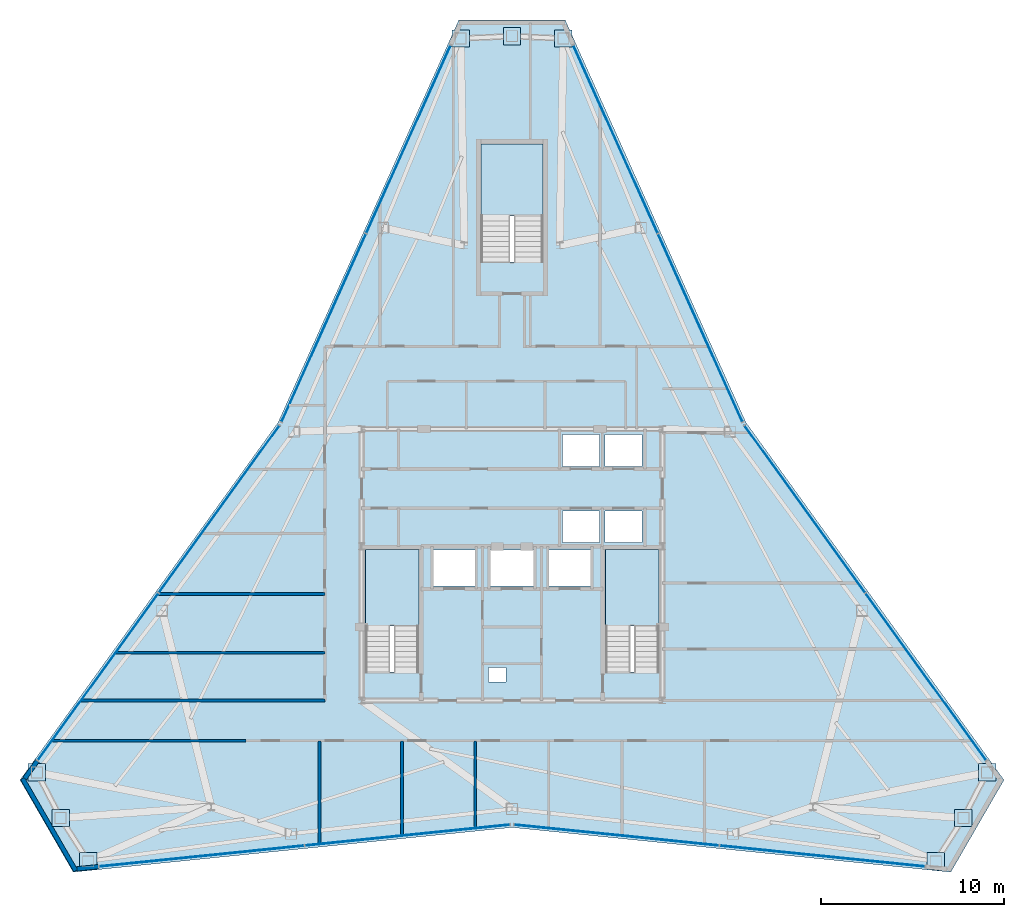
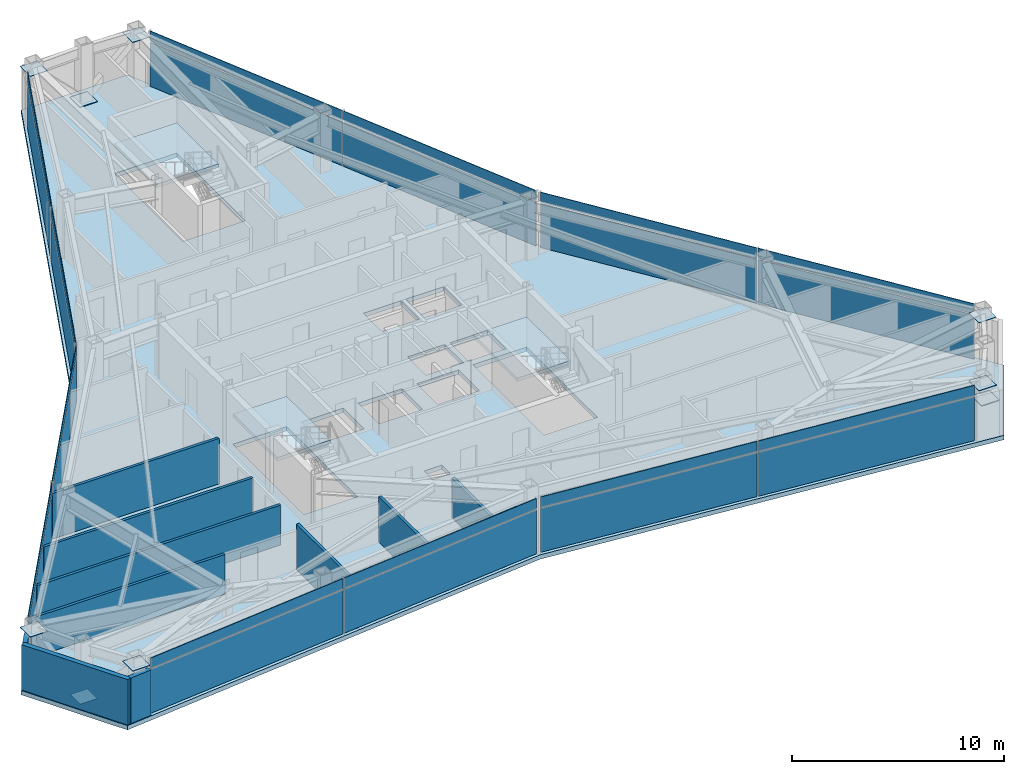
# One storey, part 8 of 12: 33 plates, 10 walls, 4 slabs, 9 elements without a shape of their own.
"""IFC4 building model written with IfcOpenShell, lengths in metres."""

from ifc_helpers import new_model, si_unit, direction, frame, frame_2d, origin, origin_2d, place, context, subcontext, project, spatial, polyline, rectangle, outline, extrude, source, transform, mapped, material, layer, layer_set, type_object, type_shapes, element, aggregate, save


model = new_model("IFC4")

# Units and contexts
model_context = context("Model", 3, precision=1e-05, world=origin(), true_north=direction((0.0, 1.0)))
body_context = subcontext(model_context, "Body", "Model", "MODEL_VIEW")
ifc_project = project(units=[si_unit("LENGTHUNIT", "METRE"), si_unit("AREAUNIT", "SQUARE_METRE"), si_unit("VOLUMEUNIT", "CUBIC_METRE"), si_unit("PLANEANGLEUNIT", "RADIAN"), si_unit("MASSUNIT", "GRAM", prefix="KILO")], contexts=[model_context])

# Site, building, storey
site_placement = place(None, origin())
site = spatial("IfcSite", under=ifc_project, at=site_placement, CompositionType="ELEMENT")
building_placement = place(site_placement, origin())
building = spatial("IfcBuilding", under=site, at=building_placement, Name="Varakhsha Concourse Tower", CompositionType="ELEMENT")
storey_placement = place(building_placement, frame((0.0, 0.0, 258.5)))
storey = spatial("IfcBuildingStorey", under=building, at=storey_placement, Name="L73", CompositionType="ELEMENT", Elevation=258.5)

# Slab
ifc_material_1 = material(Name="Concrete fc 45 MPa", Category="concrete")
ifc_layer_1 = layer(ifc_material_1, 0.25, Name="SL-FLR-250")
ifc_layer_set_1 = layer_set([ifc_layer_1], Name="Concrete fc 45 MPa")
slab_type_1 = type_object("IfcSlabType", Name="SL-FLR-250", PredefinedType="FLOOR", material=ifc_layer_set_1)
slab_1_placement = place(storey_placement, frame((0.0, 0.0, -0.25)))
element("IfcSlab", 1, at=slab_1_placement, inside=storey, type_object=slab_type_1, Name="L73 Composite Structural Slab", PredefinedType="FLOOR", context=body_context, shape_type="SweptSolid", body=[
    extrude(outline(polyline([(42.89990234375, 53.4970703125), (37.10009765625, 53.4970703125), (27.249267578125, 31.5615234375), (13.177978515625, 12.06298828125), (16.077880859375, 7.0400390625), (40.0, 9.476806640625), (63.922119140625, 7.0400390625), (66.822021484375, 12.06298828125), (52.750732421875, 31.5615234375), (42.89990234375, 53.4970703125)]), holes=[polyline([(34.919921875, 17.93994140625), (34.919921875, 24.6298828125), (32.0, 24.6298828125), (32.0, 17.93994140625), (34.919921875, 17.93994140625)]), polyline([(48.02001953125, 17.93994140625), (48.02001953125, 24.6298828125), (45.10009765625, 24.6298828125), (45.10009765625, 17.93994140625), (48.02001953125, 17.93994140625)]), polyline([(41.699951171875, 40.300048828125), (41.699951171875, 46.75), (38.300048828125, 46.75), (38.300048828125, 40.300048828125), (41.699951171875, 40.300048828125)]), polyline([(42.739990234375, 29.159912109375), (44.780029296875, 29.159912109375), (44.780029296875, 30.89990234375), (42.739990234375, 30.89990234375), (42.739990234375, 29.159912109375)]), polyline([(45.06005859375, 29.159912109375), (47.10009765625, 29.159912109375), (47.10009765625, 30.89990234375), (45.06005859375, 30.89990234375), (45.06005859375, 29.159912109375)]), polyline([(42.739990234375, 25.0), (44.780029296875, 25.0), (44.780029296875, 26.739990234375), (42.739990234375, 26.739990234375), (42.739990234375, 25.0)]), polyline([(45.06005859375, 25.0), (47.10009765625, 25.0), (47.10009765625, 26.739990234375), (45.06005859375, 26.739990234375), (45.06005859375, 25.0)]), polyline([(35.7099609375, 22.639892578125), (37.989990234375, 22.639892578125), (37.989990234375, 24.60009765625), (35.7099609375, 24.60009765625), (35.7099609375, 22.639892578125)]), polyline([(42.010009765625, 22.639892578125), (44.2900390625, 22.639892578125), (44.2900390625, 24.60009765625), (42.010009765625, 24.60009765625), (42.010009765625, 22.639892578125)]), polyline([(38.81005859375, 22.639892578125), (41.18994140625, 22.639892578125), (41.18994140625, 24.60009765625), (38.81005859375, 24.60009765625), (38.81005859375, 22.639892578125)]), polyline([(38.719970703125, 17.39990234375), (39.679931640625, 17.39990234375), (39.679931640625, 18.199951171875), (38.719970703125, 18.199951171875), (38.719970703125, 17.39990234375)])]), origin(), (0.0, 0.0, 1.0), 0.25),
])

# Stair, slab
stair_type_1 = type_object("IfcStairType", Name="ST-DOGLEG-1360", PredefinedType="HALF_TURN_STAIR", material=ifc_material_1)
stair_1_placement = place(storey_placement, origin())
stair_1 = element("IfcStair", 2, at=stair_1_placement, inside=storey, type_object=stair_type_1, Name="L73 Protected Exit Stair ST1", PredefinedType="HALF_TURN_STAIR")
ifc_layer_2 = layer(ifc_material_1, 0.199951171875, Name="SL-LAND-200")
ifc_layer_set_2 = layer_set([ifc_layer_2], Name="Concrete fc 45 MPa")
slab_type_2 = type_object("IfcSlabType", Name="SL-LAND-200", PredefinedType="LANDING", material=ifc_layer_set_2)
slab_2_placement = place(storey_placement, frame((0.0, 0.0, 1.550048828125)))
slab_2 = element("IfcSlab", 3, at=slab_2_placement, type_object=slab_type_2, Name="ST1 landing 1", PredefinedType="LANDING", context=body_context, shape_type="SweptSolid", body=[
    extrude(outline(polyline([(34.919921875, 20.4599609375), (34.919921875, 24.6298828125), (32.0, 24.6298828125), (32.0, 20.4599609375), (34.919921875, 20.4599609375)])), origin(), (0.0, 0.0, 1.0), 0.199951171875),
])
aggregate(stair_1, [slab_2])

stair_2_placement = place(storey_placement, origin())
stair_2 = element("IfcStair", 4, at=stair_2_placement, inside=storey, type_object=stair_type_1, Name="L73 Protected Exit Stair ST2", PredefinedType="HALF_TURN_STAIR")
slab_3_placement = place(storey_placement, frame((0.0, 0.0, 1.550048828125)))
slab_3 = element("IfcSlab", 5, at=slab_3_placement, type_object=slab_type_2, Name="ST2 landing 1", PredefinedType="LANDING", context=body_context, shape_type="SweptSolid", body=[
    extrude(outline(polyline([(48.02001953125, 20.4599609375), (48.02001953125, 24.6298828125), (45.10009765625, 24.6298828125), (45.10009765625, 20.4599609375), (48.02001953125, 20.4599609375)])), origin(), (0.0, 0.0, 1.0), 0.199951171875),
])
aggregate(stair_2, [slab_3])

stair_type_2 = type_object("IfcStairType", Name="ST-DOGLEG-1600", PredefinedType="HALF_TURN_STAIR", material=ifc_material_1)
stair_3_placement = place(storey_placement, origin())
stair_3 = element("IfcStair", 6, at=stair_3_placement, inside=storey, type_object=stair_type_2, Name="L73 Protected Exit Stair ST5", PredefinedType="HALF_TURN_STAIR")
slab_4_placement = place(storey_placement, frame((0.0, 0.0, 1.550048828125)))
slab_4 = element("IfcSlab", 7, at=slab_4_placement, type_object=slab_type_2, Name="ST5 landing 1", PredefinedType="LANDING", context=body_context, shape_type="SweptSolid", body=[
    extrude(outline(polyline([(41.699951171875, 42.820068359375), (41.699951171875, 46.75), (38.300048828125, 46.75), (38.300048828125, 42.820068359375), (41.699951171875, 42.820068359375)])), origin(), (0.0, 0.0, 1.0), 0.199951171875),
])
aggregate(stair_3, [slab_4])

# Plates
ifc_material_2 = material(Name="Structural Steel ASTM A572 Grade 50", Category="steel")
ifc_layer_3 = layer(ifc_material_2, 0.030029296875, Name="PL-ENDCAP-950")
ifc_layer_set_3 = layer_set([ifc_layer_3], Name="Structural Steel ASTM A572 Grade 50")
plate_type_1 = type_object("IfcPlateType", Name="PL-ENDCAP-950", PredefinedType="USERDEFINED", material=ifc_layer_set_3)
shared_shape_1 = source(origin(), body_context, "Body", "SweptSolid", [
    extrude(rectangle(XDim=0.949951171875, YDim=0.949951171875, at=origin_2d()), origin(), (0.0, 0.0, 1.0), 0.030029296875),
])
type_shapes(plate_type_1, [shared_shape_1])
for number, where, z_axis, x_axis, name in (
    (8, (40.0, 52.6171875, 0.10498046875), (0.0, 0.0, 1.0), (1.0, 0.0, 0.0), "Hollow Section End Cap GP-NODE-L73-0778"),
    (9, (42.80029296875, 52.489990234375, 2.93505859375), (0.0, 0.0, 1.0), (1.0, 0.0, 0.0), "Hollow Section End Cap GP-NODE-L73-0779"),
    (10, (37.19970703125, 52.489990234375, 2.93505859375), (0.0, 0.0, 1.0), (1.0, 0.0, 0.0), "Hollow Section End Cap GP-NODE-L73-0780"),
    (11, (15.39013671875, 9.991455078125, 0.10498046875), (0.0, 0.0, 1.0), (1.0, 0.0, 0.0), "Hollow Section End Cap GP-NODE-L73-0781"),
    (12, (14.10009765625, 12.47998046875, 2.93505859375), (0.0, 0.0, 1.0), (1.0, 0.0, 0.0), "Hollow Section End Cap GP-NODE-L73-0782"),
    (13, (16.900390625, 7.6298828125, 2.93505859375), (0.0, 0.0, 1.0), (1.0, 0.0, 0.0), "Hollow Section End Cap GP-NODE-L73-0783"),
    (14, (64.60986328125, 9.991455078125, 0.10498046875), (0.0, 0.0, 1.0), (1.0, 0.0, 0.0), "Hollow Section End Cap GP-NODE-L73-0784"),
    (15, (63.099609375, 7.6298828125, 2.93505859375), (0.0, 0.0, 1.0), (1.0, 0.0, 0.0), "Hollow Section End Cap GP-NODE-L73-0785"),
    (16, (65.89990234375, 12.47998046875, 2.93505859375), (0.0, 0.0, 1.0), (1.0, 0.0, 0.0), "Hollow Section End Cap GP-NODE-L73-0786"),
):
    element("IfcPlate", number, at=place(storey_placement, frame(where, z_axis=z_axis, x_axis=x_axis)), inside=storey, type_object=plate_type_1, Name=name, ObjectType="END PLATE", PredefinedType="USERDEFINED", context=body_context, shape_type="MappedRepresentation", body=[
        mapped(shared_shape_1, transform((0.0, 0.0, 0.0), scale=1.0)),
    ])

# Curtain wall, plate
ifc_material_3 = material(Name="Anodised Bronze Architectural Aluminium AA 6063-T6", Category="aluminium")
ifc_layer_4 = layer(ifc_material_3, 0.199951171875, Name="CW-SYS-05")
ifc_layer_set_4 = layer_set([ifc_layer_4], Name="Anodised Bronze Architectural Aluminium AA 6063-T6")
curtain_wall_type = type_object("IfcCurtainWallType", Name="CW-SYS-05", PredefinedType="NOTDEFINED", material=ifc_layer_set_4)
curtain_wall_1_placement = place(storey_placement, origin())
curtain_wall_1 = element("IfcCurtainWall", 17, at=curtain_wall_1_placement, inside=storey, type_object=curtain_wall_type, Name="L73 Crystal Curtain Wall F2", PredefinedType="NOTDEFINED")
ifc_material_4 = material(Name="Low-E Triple Insulating Glass IGU 44 mm", Category="glass")
ifc_layer_5 = layer(ifc_material_4, 0.0439453125, Name="CWP-IGU-44")
ifc_layer_set_5 = layer_set([ifc_layer_5], Name="Low-E Triple Insulating Glass IGU 44 mm")
plate_type_2 = type_object("IfcPlateType", Name="CWP-IGU-44", PredefinedType="CURTAIN_PANEL", material=ifc_layer_set_5)
shared_shape_2 = source(origin(), body_context, "Body", "SweptSolid", [
    extrude(rectangle(XDim=11.203857421875, YDim=0.0439453125, at=origin_2d()), origin(), (0.0, 0.0, 1.0), 2.535888671875),
])
plate_1_placement = place(storey_placement, frame((29.737060546875, 36.710693359375, 0.0322265625), z_axis=(0.0, 0.0, 1.0), x_axis=(0.409661937266, 0.912237412714, 0.0)))
plate_1 = element("IfcPlate", 18, at=plate_1_placement, type_object=plate_type_2, Name="CW-L73-F2 Panel 00-00", PredefinedType="CURTAIN_PANEL", context=body_context, shape_type="MappedRepresentation", body=[
    mapped(shared_shape_2, transform((0.0, 0.0, 0.0), scale=1.0)),
])

# Curtain wall, plates
curtain_wall_2_placement = place(storey_placement, origin())
curtain_wall_2 = element("IfcCurtainWall", 19, at=curtain_wall_2_placement, inside=storey, type_object=curtain_wall_type, Name="L73 Crystal Curtain Wall F3", PredefinedType="NOTDEFINED")
plate_2_placement = place(storey_placement, frame((17.43701171875, 17.69140625, 0.0322265625), z_axis=(0.0, 0.0, 1.0), x_axis=(0.585188389778, 0.81089737234, 0.0)))
plate_2 = element("IfcPlate", 20, at=plate_2_placement, type_object=plate_type_2, Name="CW-L73-F3 Panel 00-00", PredefinedType="CURTAIN_PANEL", context=body_context, shape_type="MappedRepresentation", body=[
    mapped(shared_shape_2, transform((0.0, 0.0, 0.0), scale=1.0)),
])
plate_3_placement = place(storey_placement, frame((24.03369140625, 26.83251953125, 0.0322265625), z_axis=(0.0, 0.0, 1.0), x_axis=(0.585188389778, 0.81089737234, 0.0)))
plate_3 = element("IfcPlate", 21, at=plate_3_placement, type_object=plate_type_2, Name="CW-L73-F3 Panel 01-00", PredefinedType="CURTAIN_PANEL", context=body_context, shape_type="MappedRepresentation", body=[
    mapped(shared_shape_2, transform((0.0, 0.0, 0.0), scale=1.0)),
])

curtain_wall_3_placement = place(storey_placement, origin())
curtain_wall_3 = element("IfcCurtainWall", 22, at=curtain_wall_3_placement, inside=storey, type_object=curtain_wall_type, Name="L73 Crystal Curtain Wall F5", PredefinedType="NOTDEFINED")
plate_4_placement = place(storey_placement, frame((34.296875, 9.056640625, 0.0322265625), z_axis=(0.0, 0.0, 1.0), x_axis=(-0.994852272933, -0.101335852689, 0.0)))
plate_4 = element("IfcPlate", 23, at=plate_4_placement, type_object=plate_type_2, Name="CW-L73-F5 Panel 00-00", PredefinedType="CURTAIN_PANEL", context=body_context, shape_type="MappedRepresentation", body=[
    mapped(shared_shape_2, transform((0.0, 0.0, 0.0), scale=1.0)),
])
plate_5_placement = place(storey_placement, frame((23.081787109375, 7.914306640625, 0.0322265625), z_axis=(0.0, 0.0, 1.0), x_axis=(-0.994852272933, -0.101335852689, 0.0)))
plate_5 = element("IfcPlate", 24, at=plate_5_placement, type_object=plate_type_2, Name="CW-L73-F5 Panel 01-00", PredefinedType="CURTAIN_PANEL", context=body_context, shape_type="MappedRepresentation", body=[
    mapped(shared_shape_2, transform((0.0, 0.0, 0.0), scale=1.0)),
])

curtain_wall_4_placement = place(storey_placement, origin())
curtain_wall_4 = element("IfcCurtainWall", 25, at=curtain_wall_4_placement, inside=storey, type_object=curtain_wall_type, Name="L73 Crystal Curtain Wall F6", PredefinedType="NOTDEFINED")
plate_6_placement = place(storey_placement, frame((56.918212890625, 7.914306640625, 0.0322265625), z_axis=(0.0, 0.0, 1.0), x_axis=(-0.994852272933, 0.101335852689, 0.0)))
plate_6 = element("IfcPlate", 26, at=plate_6_placement, type_object=plate_type_2, Name="CW-L73-F6 Panel 00-00", PredefinedType="CURTAIN_PANEL", context=body_context, shape_type="MappedRepresentation", body=[
    mapped(shared_shape_2, transform((0.0, 0.0, 0.0), scale=1.0)),
])
plate_7_placement = place(storey_placement, frame((45.703125, 9.056640625, 0.0322265625), z_axis=(0.0, 0.0, 1.0), x_axis=(-0.994852272933, 0.101335852689, 0.0)))
plate_7 = element("IfcPlate", 27, at=plate_7_placement, type_object=plate_type_2, Name="CW-L73-F6 Panel 01-00", PredefinedType="CURTAIN_PANEL", context=body_context, shape_type="MappedRepresentation", body=[
    mapped(shared_shape_2, transform((0.0, 0.0, 0.0), scale=1.0)),
])

curtain_wall_5_placement = place(storey_placement, origin())
curtain_wall_5 = element("IfcCurtainWall", 28, at=curtain_wall_5_placement, inside=storey, type_object=curtain_wall_type, Name="L73 Crystal Curtain Wall F8", PredefinedType="NOTDEFINED")
plate_8_placement = place(storey_placement, frame((55.96630859375, 26.83251953125, 0.0322265625), z_axis=(0.0, 0.0, 1.0), x_axis=(0.585188389778, -0.81089737234, 0.0)))
plate_8 = element("IfcPlate", 29, at=plate_8_placement, type_object=plate_type_2, Name="CW-L73-F8 Panel 00-00", PredefinedType="CURTAIN_PANEL", context=body_context, shape_type="MappedRepresentation", body=[
    mapped(shared_shape_2, transform((0.0, 0.0, 0.0), scale=1.0)),
])
plate_9_placement = place(storey_placement, frame((62.56298828125, 17.69140625, 0.0322265625), z_axis=(0.0, 0.0, 1.0), x_axis=(0.585188389778, -0.81089737234, 0.0)))
plate_9 = element("IfcPlate", 30, at=plate_9_placement, type_object=plate_type_2, Name="CW-L73-F8 Panel 01-00", PredefinedType="CURTAIN_PANEL", context=body_context, shape_type="MappedRepresentation", body=[
    mapped(shared_shape_2, transform((0.0, 0.0, 0.0), scale=1.0)),
])

# Curtain wall, plate
curtain_wall_6_placement = place(storey_placement, origin())
curtain_wall_6 = element("IfcCurtainWall", 31, at=curtain_wall_6_placement, inside=storey, type_object=curtain_wall_type, Name="L73 Crystal Curtain Wall F9", PredefinedType="NOTDEFINED")
plate_10_placement = place(storey_placement, frame((45.644775390625, 46.994384765625, 0.0322265625), z_axis=(0.0, 0.0, 1.0), x_axis=(0.409661937266, -0.912237412714, 0.0)))
plate_10 = element("IfcPlate", 32, at=plate_10_placement, type_object=plate_type_2, Name="CW-L73-F9 Panel 00-00", PredefinedType="CURTAIN_PANEL", context=body_context, shape_type="MappedRepresentation", body=[
    mapped(shared_shape_2, transform((0.0, 0.0, 0.0), scale=1.0)),
])

# Plate
ifc_material_5 = material(Name="Insulated Anodised Bronze Aluminium Spandrel 36 mm", Category="aluminium")
ifc_layer_6 = layer(ifc_material_5, 0.035888671875, Name="CWP-SPN-36")
ifc_layer_set_6 = layer_set([ifc_layer_6], Name="Insulated Anodised Bronze Aluminium Spandrel 36 mm")
plate_type_3 = type_object("IfcPlateType", Name="CWP-SPN-36", PredefinedType="USERDEFINED", material=ifc_layer_set_6)
shared_shape_3 = source(origin(), body_context, "Body", "SweptSolid", [
    extrude(rectangle(XDim=11.203857421875, YDim=0.035888671875, at=origin_2d()), origin(), (0.0, 0.0, 1.0), 0.5859375),
])
plate_11_placement = place(storey_placement, frame((29.737060546875, 36.710693359375, 2.632080078125), z_axis=(0.0, 0.0, 1.0), x_axis=(0.409661937266, 0.912237412714, 0.0)))
plate_11 = element("IfcPlate", 33, at=plate_11_placement, type_object=plate_type_3, Name="CW-L73-F2 Panel 00-01", ObjectType="SPANDREL", PredefinedType="USERDEFINED", context=body_context, shape_type="MappedRepresentation", body=[
    mapped(shared_shape_3, transform((0.0, 0.0, 0.0), scale=1.0)),
])

plate_12_placement = place(storey_placement, frame((17.43701171875, 17.69140625, 2.632080078125), z_axis=(0.0, 0.0, 1.0), x_axis=(0.585188389778, 0.81089737234, 0.0)))
plate_12 = element("IfcPlate", 34, at=plate_12_placement, type_object=plate_type_3, Name="CW-L73-F3 Panel 00-01", ObjectType="SPANDREL", PredefinedType="USERDEFINED", context=body_context, shape_type="MappedRepresentation", body=[
    mapped(shared_shape_3, transform((0.0, 0.0, 0.0), scale=1.0)),
])

plate_13_placement = place(storey_placement, frame((24.03369140625, 26.83251953125, 2.632080078125), z_axis=(0.0, 0.0, 1.0), x_axis=(0.585188389778, 0.81089737234, 0.0)))
plate_13 = element("IfcPlate", 35, at=plate_13_placement, type_object=plate_type_3, Name="CW-L73-F3 Panel 01-01", ObjectType="SPANDREL", PredefinedType="USERDEFINED", context=body_context, shape_type="MappedRepresentation", body=[
    mapped(shared_shape_3, transform((0.0, 0.0, 0.0), scale=1.0)),
])

aggregate(curtain_wall_2, [plate_2, plate_12, plate_3, plate_13])

plate_14_placement = place(storey_placement, frame((34.296875, 9.056640625, 2.632080078125), z_axis=(0.0, 0.0, 1.0), x_axis=(-0.994852272933, -0.101335852689, 0.0)))
plate_14 = element("IfcPlate", 36, at=plate_14_placement, type_object=plate_type_3, Name="CW-L73-F5 Panel 00-01", ObjectType="SPANDREL", PredefinedType="USERDEFINED", context=body_context, shape_type="MappedRepresentation", body=[
    mapped(shared_shape_3, transform((0.0, 0.0, 0.0), scale=1.0)),
])

plate_15_placement = place(storey_placement, frame((23.081787109375, 7.914306640625, 2.632080078125), z_axis=(0.0, 0.0, 1.0), x_axis=(-0.994852272933, -0.101335852689, 0.0)))
plate_15 = element("IfcPlate", 37, at=plate_15_placement, type_object=plate_type_3, Name="CW-L73-F5 Panel 01-01", ObjectType="SPANDREL", PredefinedType="USERDEFINED", context=body_context, shape_type="MappedRepresentation", body=[
    mapped(shared_shape_3, transform((0.0, 0.0, 0.0), scale=1.0)),
])

aggregate(curtain_wall_3, [plate_4, plate_14, plate_5, plate_15])

plate_16_placement = place(storey_placement, frame((56.918212890625, 7.914306640625, 2.632080078125), z_axis=(0.0, 0.0, 1.0), x_axis=(-0.994852272933, 0.101335852689, 0.0)))
plate_16 = element("IfcPlate", 38, at=plate_16_placement, type_object=plate_type_3, Name="CW-L73-F6 Panel 00-01", ObjectType="SPANDREL", PredefinedType="USERDEFINED", context=body_context, shape_type="MappedRepresentation", body=[
    mapped(shared_shape_3, transform((0.0, 0.0, 0.0), scale=1.0)),
])

plate_17_placement = place(storey_placement, frame((45.703125, 9.056640625, 2.632080078125), z_axis=(0.0, 0.0, 1.0), x_axis=(-0.994852272933, 0.101335852689, 0.0)))
plate_17 = element("IfcPlate", 39, at=plate_17_placement, type_object=plate_type_3, Name="CW-L73-F6 Panel 01-01", ObjectType="SPANDREL", PredefinedType="USERDEFINED", context=body_context, shape_type="MappedRepresentation", body=[
    mapped(shared_shape_3, transform((0.0, 0.0, 0.0), scale=1.0)),
])

aggregate(curtain_wall_4, [plate_6, plate_16, plate_7, plate_17])

plate_18_placement = place(storey_placement, frame((55.96630859375, 26.83251953125, 2.632080078125), z_axis=(0.0, 0.0, 1.0), x_axis=(0.585188389778, -0.81089737234, 0.0)))
plate_18 = element("IfcPlate", 40, at=plate_18_placement, type_object=plate_type_3, Name="CW-L73-F8 Panel 00-01", ObjectType="SPANDREL", PredefinedType="USERDEFINED", context=body_context, shape_type="MappedRepresentation", body=[
    mapped(shared_shape_3, transform((0.0, 0.0, 0.0), scale=1.0)),
])

plate_19_placement = place(storey_placement, frame((62.56298828125, 17.69140625, 2.632080078125), z_axis=(0.0, 0.0, 1.0), x_axis=(0.585188389778, -0.81089737234, 0.0)))
plate_19 = element("IfcPlate", 41, at=plate_19_placement, type_object=plate_type_3, Name="CW-L73-F8 Panel 01-01", ObjectType="SPANDREL", PredefinedType="USERDEFINED", context=body_context, shape_type="MappedRepresentation", body=[
    mapped(shared_shape_3, transform((0.0, 0.0, 0.0), scale=1.0)),
])

aggregate(curtain_wall_5, [plate_8, plate_18, plate_9, plate_19])

plate_20_placement = place(storey_placement, frame((45.644775390625, 46.994384765625, 2.632080078125), z_axis=(0.0, 0.0, 1.0), x_axis=(0.409661937266, -0.912237412714, 0.0)))
plate_20 = element("IfcPlate", 42, at=plate_20_placement, type_object=plate_type_3, Name="CW-L73-F9 Panel 00-01", ObjectType="SPANDREL", PredefinedType="USERDEFINED", context=body_context, shape_type="MappedRepresentation", body=[
    mapped(shared_shape_3, transform((0.0, 0.0, 0.0), scale=1.0)),
])

shared_shape_4 = source(origin(), body_context, "Body", "SweptSolid", [
    extrude(rectangle(XDim=11.2041015625, YDim=0.0439453125, at=origin_2d()), origin(), (0.0, 0.0, 1.0), 2.535888671875),
])
type_shapes(plate_type_2, [shared_shape_2, shared_shape_4])
plate_21_placement = place(storey_placement, frame((34.35498046875, 46.994384765625, 0.0322265625), z_axis=(0.0, 0.0, 1.0), x_axis=(0.409661937266, 0.912237412714, 0.0)))
plate_21 = element("IfcPlate", 43, at=plate_21_placement, type_object=plate_type_2, Name="CW-L73-F2 Panel 01-00", PredefinedType="CURTAIN_PANEL", context=body_context, shape_type="MappedRepresentation", body=[
    mapped(shared_shape_4, transform((0.0, 0.0, 0.0), scale=1.0)),
])

plate_22_placement = place(storey_placement, frame((50.262939453125, 36.710693359375, 0.0322265625), z_axis=(0.0, 0.0, 1.0), x_axis=(0.409661937266, -0.912237412714, 0.0)))
plate_22 = element("IfcPlate", 44, at=plate_22_placement, type_object=plate_type_2, Name="CW-L73-F9 Panel 01-00", PredefinedType="CURTAIN_PANEL", context=body_context, shape_type="MappedRepresentation", body=[
    mapped(shared_shape_4, transform((0.0, 0.0, 0.0), scale=1.0)),
])

shared_shape_5 = source(origin(), body_context, "Body", "SweptSolid", [
    extrude(rectangle(XDim=11.2041015625, YDim=0.035888671875, at=origin_2d()), origin(), (0.0, 0.0, 1.0), 0.5859375),
])
type_shapes(plate_type_3, [shared_shape_3, shared_shape_5])
plate_23_placement = place(storey_placement, frame((34.35498046875, 46.994384765625, 2.632080078125), z_axis=(0.0, 0.0, 1.0), x_axis=(0.409661937266, 0.912237412714, 0.0)))
plate_23 = element("IfcPlate", 45, at=plate_23_placement, type_object=plate_type_3, Name="CW-L73-F2 Panel 01-01", ObjectType="SPANDREL", PredefinedType="USERDEFINED", context=body_context, shape_type="MappedRepresentation", body=[
    mapped(shared_shape_5, transform((0.0, 0.0, 0.0), scale=1.0)),
])

aggregate(curtain_wall_1, [plate_1, plate_11, plate_21, plate_23])

plate_24_placement = place(storey_placement, frame((50.262939453125, 36.710693359375, 2.632080078125), z_axis=(0.0, 0.0, 1.0), x_axis=(0.409661937266, -0.912237412714, 0.0)))
plate_24 = element("IfcPlate", 46, at=plate_24_placement, type_object=plate_type_3, Name="CW-L73-F9 Panel 01-01", ObjectType="SPANDREL", PredefinedType="USERDEFINED", context=body_context, shape_type="MappedRepresentation", body=[
    mapped(shared_shape_5, transform((0.0, 0.0, 0.0), scale=1.0)),
])

aggregate(curtain_wall_6, [plate_10, plate_20, plate_22, plate_24])

# Walls
ifc_layer_7 = layer(ifc_material_1, 0.239990234375, Name="WL-EXT-CRN-240")
ifc_layer_set_7 = layer_set([ifc_layer_7], Name="Concrete fc 45 MPa")
wall_type_1 = type_object("IfcWallType", Name="WL-EXT-CRN-240", PredefinedType="SHEAR", material=ifc_layer_set_7)
wall_1_placement = place(storey_placement, frame((14.11962890625, 13.094482421875, 0.0), z_axis=(0.0, 0.0, 1.0), x_axis=(-0.585108734167, -0.810954850286, 0.0)))
element("IfcWall", 47, at=wall_1_placement, inside=storey, type_object=wall_type_1, Name="L73 Wind-Corner Shoulder Wall F3", PredefinedType="SHEAR", context=body_context, shape_type="SweptSolid", body=[
    extrude(rectangle(XDim=1.16748046875, YDim=0.239990234375, at=frame_2d((0.583740234375, 0.0))), origin(), (0.0, 0.0, 1.0), 2.623046875),
])
wall_2_placement = place(storey_placement, frame((16.216552734375, 7.1201171875, 0.0), z_axis=(0.0, 0.0, 1.0), x_axis=(-0.500005459048, 0.866022251978, 0.0)))
element("IfcWall", 48, at=wall_2_placement, inside=storey, type_object=wall_type_1, Name="L73 Chamfer Wind-Corner Insulated Wall F4", PredefinedType="SHEAR", context=body_context, shape_type="SweptSolid", body=[
    extrude(rectangle(XDim=5.7998046875, YDim=0.239990234375, at=frame_2d((2.89990234375, 0.0))), origin(), (0.0, 0.0, 1.0), 2.623046875),
])
wall_3_placement = place(storey_placement, frame((16.28076171875, 7.221435546875, 0.0), z_axis=(0.0, 0.0, 1.0), x_axis=(0.994842759405, 0.101429207129, 0.0)))
element("IfcWall", 49, at=wall_3_placement, inside=storey, type_object=wall_type_1, Name="L73 Wind-Corner Shoulder Wall F5", PredefinedType="SHEAR", context=body_context, shape_type="SweptSolid", body=[
    extrude(rectangle(XDim=1.16748046875, YDim=0.239990234375, at=frame_2d((0.583740234375, 0.0))), origin(), (0.0, 0.0, 1.0), 2.623046875),
])
ifc_material_6 = material(Name="Fire-Rated Type X Gypsum Partition Assembly", Category="gypsum")
ifc_layer_8 = layer(ifc_material_6, 0.14990234375, Name="WL-PART-150")
ifc_layer_set_8 = layer_set([ifc_layer_8], Name="Fire-Rated Type X Gypsum Partition Assembly")
wall_type_2 = type_object("IfcWallType", Name="WL-PART-150", PredefinedType="PARTITIONING", material=ifc_layer_set_8)
wall_4_placement = place(storey_placement, frame((14.923583984375, 14.199951171875, 0.0), z_axis=(0.0, 0.0, 1.0), x_axis=(1.0, 0.0, 0.0)))
element("IfcWall", 50, at=wall_4_placement, inside=storey, type_object=wall_type_2, Name="L73 Wall CRW-SGAL-SW-L73", PredefinedType="PARTITIONING", context=body_context, shape_type="SweptSolid", body=[
    extrude(rectangle(XDim=10.576416015625, YDim=0.14990234375, at=frame_2d((5.2880859375, 0.0))), origin(), (0.0, 0.0, 1.0), 2.2919921875),
])
wall_5_placement = place(storey_placement, frame((16.511474609375, 16.39990234375, 0.0), z_axis=(0.0, 0.0, 1.0), x_axis=(1.0, 0.0, 0.0)))
element("IfcWall", 51, at=wall_5_placement, inside=storey, type_object=wall_type_2, Name="L73 Wall CRW-SGAL-NW-L73", PredefinedType="PARTITIONING", context=body_context, shape_type="SweptSolid", body=[
    extrude(rectangle(XDim=13.28857421875, YDim=0.14990234375, at=frame_2d((6.644287109375, 0.0))), origin(), (0.0, 0.0, 1.0), 2.2919921875),
])
wall_6_placement = place(storey_placement, frame((29.5, 8.572998046875, 0.0), z_axis=(0.0, 0.0, 1.0), x_axis=(0.0, 1.0, 0.0)))
element("IfcWall", 52, at=wall_6_placement, inside=storey, type_object=wall_type_2, Name="L73 Wall ODIV-S1-L73", PredefinedType="PARTITIONING", context=body_context, shape_type="SweptSolid", body=[
    extrude(rectangle(XDim=5.626953125, YDim=0.14990234375, at=frame_2d((2.8134765625, 0.0))), origin(), (0.0, 0.0, 1.0), 2.6279296875),
])
wall_7_placement = place(storey_placement, frame((34.0, 9.031494140625, 0.0), z_axis=(0.0, 0.0, 1.0), x_axis=(0.0, 1.0, 0.0)))
element("IfcWall", 53, at=wall_7_placement, inside=storey, type_object=wall_type_2, Name="L73 Wall ODIV-S2-L73", PredefinedType="PARTITIONING", context=body_context, shape_type="SweptSolid", body=[
    extrude(rectangle(XDim=5.16845703125, YDim=0.14990234375, at=frame_2d((2.584228515625, 0.0))), origin(), (0.0, 0.0, 1.0), 2.6279296875),
])
wall_8_placement = place(storey_placement, frame((38.0, 9.438720703125, 0.0), z_axis=(0.0, 0.0, 1.0), x_axis=(0.0, 1.0, 0.0)))
element("IfcWall", 54, at=wall_8_placement, inside=storey, type_object=wall_type_2, Name="L73 Wall ODIV-S3-L73", PredefinedType="PARTITIONING", context=body_context, shape_type="SweptSolid", body=[
    extrude(rectangle(XDim=4.76123046875, YDim=0.14990234375, at=frame_2d((2.380615234375, 0.0))), origin(), (0.0, 0.0, 1.0), 2.2919921875),
])
wall_9_placement = place(storey_placement, frame((18.3876953125, 19.0, 0.0), z_axis=(0.0, 0.0, 1.0), x_axis=(1.0, 0.0, 0.0)))
element("IfcWall", 55, at=wall_9_placement, inside=storey, type_object=wall_type_2, Name="L73 Wall ODIV-W1-L73", PredefinedType="PARTITIONING", context=body_context, shape_type="SweptSolid", body=[
    extrude(rectangle(XDim=11.412353515625, YDim=0.14990234375, at=frame_2d((5.7060546875, 0.0))), origin(), (0.0, 0.0, 1.0), 2.2919921875),
])
wall_10_placement = place(storey_placement, frame((20.697021484375, 22.199951171875, 0.0), z_axis=(0.0, 0.0, 1.0), x_axis=(1.0, 0.0, 0.0)))
element("IfcWall", 56, at=wall_10_placement, inside=storey, type_object=wall_type_2, Name="L73 Wall ODIV-W2-L73", PredefinedType="PARTITIONING", context=body_context, shape_type="SweptSolid", body=[
    extrude(rectangle(XDim=9.10302734375, YDim=0.14990234375, at=frame_2d((4.551513671875, 0.0))), origin(), (0.0, 0.0, 1.0), 2.6279296875),
])

save(model, "model.ifc")
